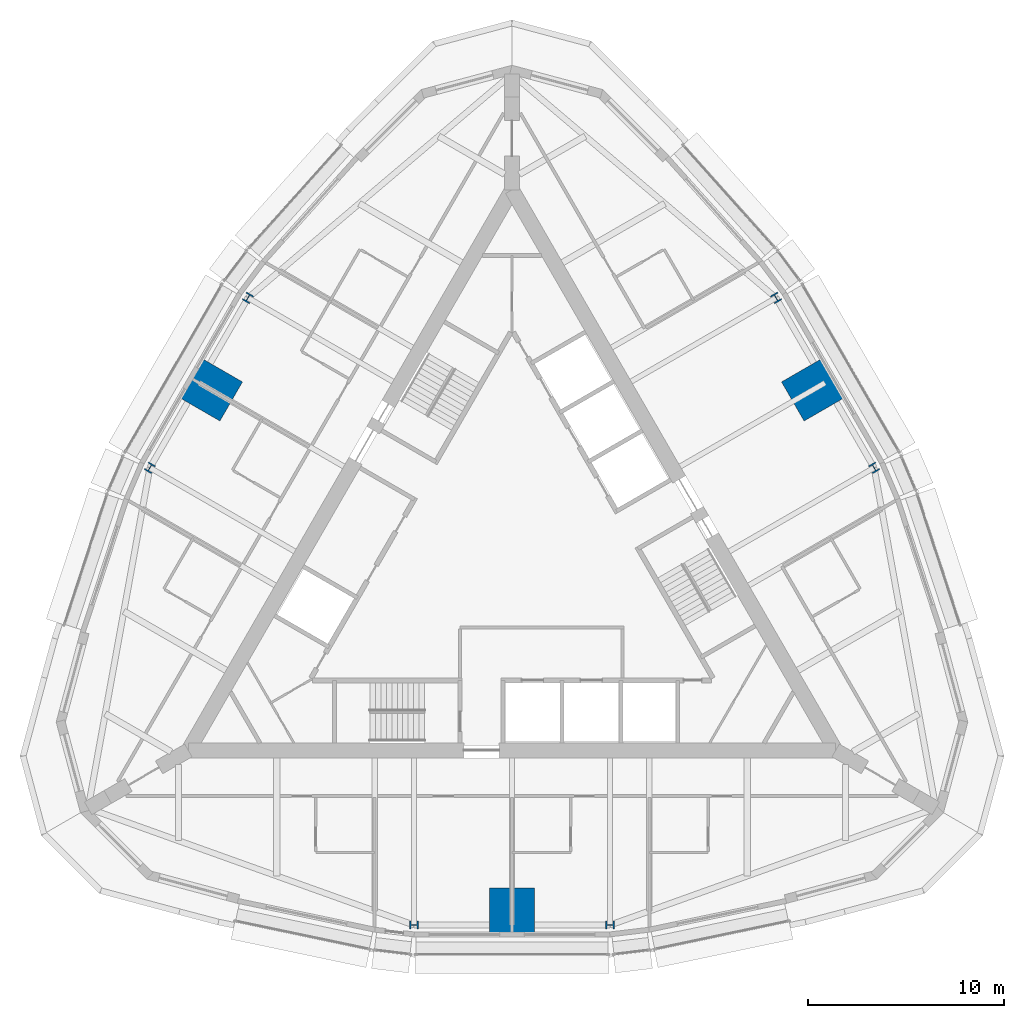
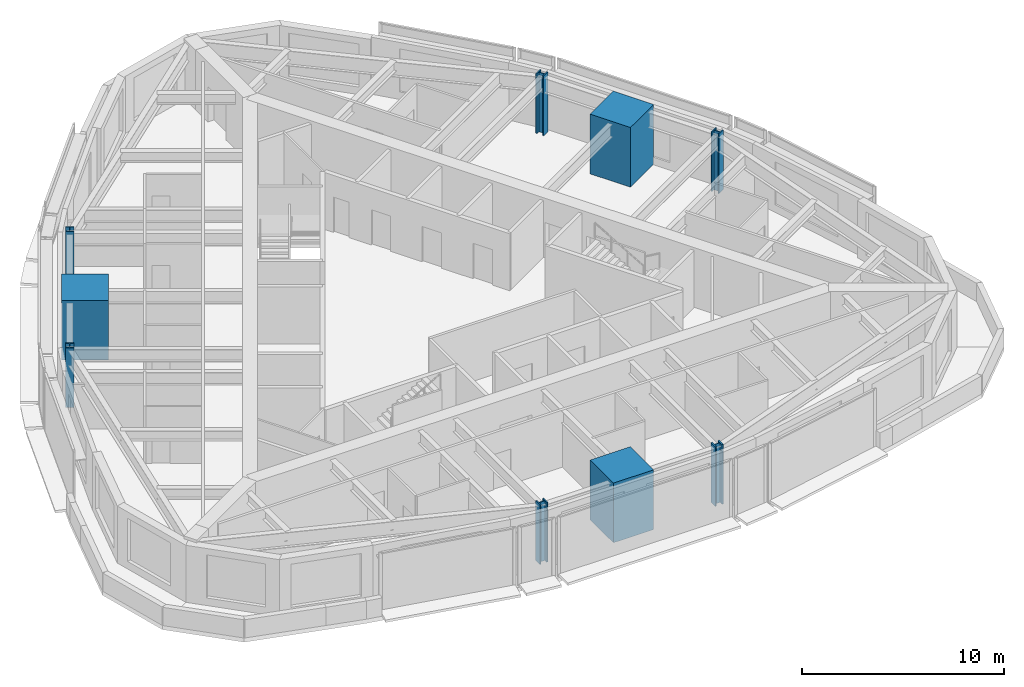
# One storey, part 1 of 13: 9 columns.
"""IFC4 building model written with IfcOpenShell, lengths in metres."""

from ifc_helpers import new_model, si_unit, direction, frame, origin, origin_2d, place, context, subcontext, project, spatial, rectangle, i_section, extrude, material, material_profile, profile_set, type_object, element, save


model = new_model("IFC4")

# Units and contexts
model_context = context("Model", 3, precision=1e-05, world=origin(), true_north=direction((0.0, 1.0)))
body_context = subcontext(model_context, "Body", "Model", "MODEL_VIEW")
ifc_project = project(units=[si_unit("LENGTHUNIT", "METRE"), si_unit("AREAUNIT", "SQUARE_METRE"), si_unit("VOLUMEUNIT", "CUBIC_METRE"), si_unit("PLANEANGLEUNIT", "RADIAN"), si_unit("MASSUNIT", "GRAM", prefix="KILO")], contexts=[model_context])

# Site, building, storey
site_placement = place(None, origin())
site = spatial("IfcSite", under=ifc_project, at=site_placement, CompositionType="ELEMENT")
building_placement = place(site_placement, origin())
building = spatial("IfcBuilding", under=site, at=building_placement, Name="Trikona Tower", CompositionType="ELEMENT")
storey_placement = place(building_placement, frame((0.0, 0.0, 239.300048828125)))
storey = spatial("IfcBuildingStorey", under=building, at=storey_placement, Name="L63", CompositionType="ELEMENT", Elevation=239.300048828125)

# Columns
ifc_material_1 = material(Name="Concrete f'c 10000 psi with encased steel section", Category="concrete")
ifc_material_profile_1 = material_profile(ifc_material_1, rectangle(XDim=2.300048828125, YDim=2.300048828125, at=origin_2d()), Name="MC2300")
ifc_profile_set_1 = profile_set([ifc_material_profile_1], Name="Concrete f'c 10000 psi with encased steel section")
column_type_1 = type_object("IfcColumnType", Name="Composite mega column 2300x2300", PredefinedType="COLUMN", material=ifc_profile_set_1)
for number, where, z_axis, x_axis, name in (
    (1, (0.0, -17.680419921875, 0.0), (0.0, 0.0, 1.0), (0.0, -1.0, 0.0), "Mega column MC1"),
    (2, (15.311767578125, 8.84033203125, 0.0), (0.0, 0.0, 1.0), (0.866025403784, 0.5, 0.0), "Mega column MC2"),
    (3, (-15.311767578125, 8.84033203125, 0.0), (0.0, 0.0, 1.0), (-0.866025403784, 0.5, 0.0), "Mega column MC3"),
):
    element("IfcColumn", number, at=place(storey_placement, frame(where, z_axis=z_axis, x_axis=x_axis)), inside=storey, type_object=column_type_1, Name=name, PredefinedType="COLUMN", context=body_context, shape_type="SweptSolid", body=[
        extrude(rectangle(XDim=2.300048828125, YDim=2.300048828125, at=origin_2d()), origin(), (0.0, 0.0, 1.0), 3.599853515625),
    ])
ifc_material_2 = material(Name="Steel ASTM A992 Grade 50", Category="steel")
ifc_material_profile_2 = material_profile(ifc_material_2, i_section(OverallWidth=0.419189453125, OverallDepth=0.45458984375, WebThickness=0.042236328125, FlangeThickness=0.067626953125, at=origin_2d()), Name="W14X370")
ifc_profile_set_2 = profile_set([ifc_material_profile_2], Name="Steel ASTM A992 Grade 50")
column_type_2 = type_object("IfcColumnType", Name="Steel column W14x370", PredefinedType="COLUMN", material=ifc_profile_set_2)
for number, where, z_axis, x_axis, name in (
    (4, (-5.0, -18.430419921875, 0.0), (0.0, 0.0, 1.0), (0.0, -1.0, 0.0), "Column F0m5"),
    (5, (5.0, -18.430419921875, 0.0), (0.0, 0.0, 1.0), (0.0, -1.0, 0.0), "Column F0p5"),
    (6, (18.461181640625, 4.885009765625, 0.0), (0.0, 0.0, 1.0), (0.866025403784, 0.5, 0.0), "Column F1m5"),
    (7, (13.461181640625, 13.54541015625, 0.0), (0.0, 0.0, 1.0), (0.866025403784, 0.5, 0.0), "Column F1p5"),
    (8, (-13.461181640625, 13.54541015625, 0.0), (0.0, 0.0, 1.0), (-0.866025403784, 0.5, 0.0), "Column F2m5"),
    (9, (-18.461181640625, 4.885009765625, 0.0), (0.0, 0.0, 1.0), (-0.866025403784, 0.5, 0.0), "Column F2p5"),
):
    element("IfcColumn", number, at=place(storey_placement, frame(where, z_axis=z_axis, x_axis=x_axis)), inside=storey, type_object=column_type_2, Name=name, PredefinedType="COLUMN", context=body_context, shape_type="SweptSolid", body=[
        extrude(i_section(OverallWidth=0.419189453125, OverallDepth=0.45458984375, WebThickness=0.042236328125, FlangeThickness=0.067626953125, at=origin_2d()), origin(), (0.0, 0.0, 1.0), 3.599853515625),
    ])

save(model, "model.ifc")
